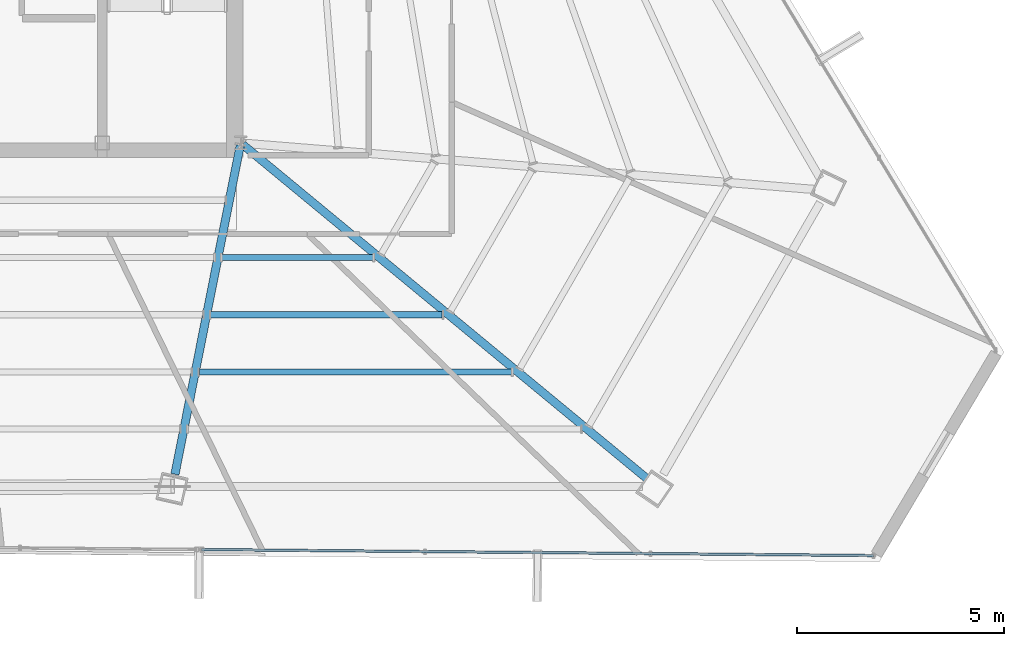
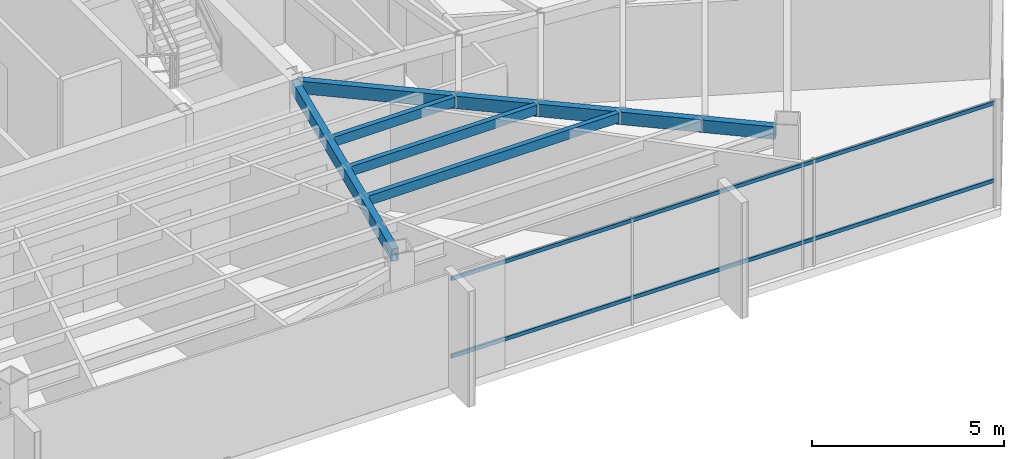
# One storey, part 20 of 45: 5 beams, 2 members, 1 element without a shape of its own.
"""IFC4 building model written with IfcOpenShell, lengths in metres."""

from ifc_helpers import new_model, si_unit, direction, frame, origin, origin_2d, place, context, subcontext, project, spatial, hollow_rectangle, extrude, source, transform, mapped, material, material_profile, profile_set, type_object, type_shapes, element, aggregate, save


model = new_model("IFC4")

# Units and contexts
model_context = context("Model", 3, precision=1e-05, world=origin(), true_north=direction((0.0, 1.0)))
body_context = subcontext(model_context, "Body", "Model", "MODEL_VIEW")
ifc_project = project(units=[si_unit("LENGTHUNIT", "METRE"), si_unit("AREAUNIT", "SQUARE_METRE"), si_unit("VOLUMEUNIT", "CUBIC_METRE"), si_unit("PLANEANGLEUNIT", "RADIAN"), si_unit("MASSUNIT", "GRAM", prefix="KILO")], contexts=[model_context])

# Site, building, storey
site_placement = place(None, origin())
site = spatial("IfcSite", under=ifc_project, at=site_placement, CompositionType="ELEMENT")
building_placement = place(site_placement, origin())
building = spatial("IfcBuilding", under=site, at=building_placement, Name="Caelisora Broadcast Tower", CompositionType="ELEMENT")
storey_placement = place(building_placement, frame((0.0, 0.0, 240.800048828125)))
storey = spatial("IfcBuildingStorey", under=building, at=storey_placement, Name="L63", CompositionType="ELEMENT", Elevation=240.800048828125)

# Beams
ifc_material_1 = material(Name="Steel Grade 350 (AS/NZS 1163 C350L0)", Category="steel")
ifc_material_profile_1 = material_profile(ifc_material_1, hollow_rectangle(XDim=0.199951171875, YDim=0.39990234375, WallThickness=0.012451171875, at=origin_2d()), Name="Steel Grade 350 (AS/NZS 1163 C350L0)")
ifc_profile_set_1 = profile_set([ifc_material_profile_1], Name="Steel Grade 350 (AS/NZS 1163 C350L0)")
beam_type_1 = type_object("IfcBeamType", Name="PG07", PredefinedType="BEAM", material=ifc_profile_set_1)
shared_shape_1 = source(origin(), body_context, "Body", "SweptSolid", [
    extrude(hollow_rectangle(XDim=0.199951171875, YDim=0.39990234375, WallThickness=0.012451171875, at=origin_2d()), origin(), (0.0, 0.0, 1.0), 12.681640625),
])
beam_1_placement = place(storey_placement, frame((45.54638671875, 17.36181640625, 3.199951171875), z_axis=(0.770947366849, -0.636898859748, 0.0), x_axis=(0.636898859748, 0.770947366849, 0.0)))
element("IfcBeam", 1, at=beam_1_placement, inside=storey, type_object=beam_type_1, Name="L63 beam PG07", PredefinedType="BEAM", context=body_context, shape_type="MappedRepresentation", body=[
    mapped(shared_shape_1, transform((0.0, 0.0, 0.0), scale=1.0)),
])
shared_shape_2 = source(origin(), body_context, "Body", "SweptSolid", [
    extrude(hollow_rectangle(XDim=0.199951171875, YDim=0.39990234375, WallThickness=0.012451171875, at=origin_2d()), origin(), (0.0, 0.0, 1.0), 8.10888671875),
])
type_shapes(beam_type_1, [shared_shape_1, shared_shape_2])
beam_2_placement = place(storey_placement, frame((45.48828125, 17.341064453125, 3.199951171875), z_axis=(-0.194766891731, -0.980849559252, 0.0), x_axis=(0.980849559252, -0.194766891731, 0.0)))
element("IfcBeam", 2, at=beam_2_placement, inside=storey, type_object=beam_type_1, Name="L63 beam PG07", PredefinedType="BEAM", context=body_context, shape_type="MappedRepresentation", body=[
    mapped(shared_shape_2, transform((0.0, 0.0, 0.0), scale=1.0)),
])
ifc_material_profile_2 = material_profile(ifc_material_1, hollow_rectangle(XDim=0.14990234375, YDim=0.300048828125, WallThickness=0.010009765625, at=origin_2d()), Name="Steel Grade 350 (AS/NZS 1163 C350L0)")
ifc_profile_set_2 = profile_set([ifc_material_profile_2], Name="Steel Grade 350 (AS/NZS 1163 C350L0)")
beam_type_2 = type_object("IfcBeamType", Name="SB05", PredefinedType="JOIST", material=ifc_profile_set_2)
shared_shape_3 = source(origin(), body_context, "Body", "SweptSolid", [
    extrude(hollow_rectangle(XDim=0.14990234375, YDim=0.300048828125, WallThickness=0.010009765625, at=origin_2d()), origin(), (0.0, 0.0, 1.0), 3.647705078125),
])
beam_3_placement = place(storey_placement, frame((45.04931640625, 14.631591796875, 3.25), z_axis=(1.0, 0.0, 0.0), x_axis=(0.0, 1.0, 0.0)))
element("IfcBeam", 3, at=beam_3_placement, inside=storey, type_object=beam_type_2, Name="L63 beam SB05", PredefinedType="JOIST", context=body_context, shape_type="MappedRepresentation", body=[
    mapped(shared_shape_3, transform((0.0, 0.0, 0.0), scale=1.0)),
])
shared_shape_4 = source(origin(), body_context, "Body", "SweptSolid", [
    extrude(hollow_rectangle(XDim=0.14990234375, YDim=0.300048828125, WallThickness=0.010009765625, at=origin_2d()), origin(), (0.0, 0.0, 1.0), 7.548095703125),
])
beam_4_placement = place(storey_placement, frame((44.499755859375, 11.863525390625, 3.25), z_axis=(1.0, 0.0, 0.0), x_axis=(0.0, 1.0, 0.0)))
element("IfcBeam", 4, at=beam_4_placement, inside=storey, type_object=beam_type_2, Name="L63 beam SB05", PredefinedType="JOIST", context=body_context, shape_type="MappedRepresentation", body=[
    mapped(shared_shape_4, transform((0.0, 0.0, 0.0), scale=1.0)),
])
shared_shape_5 = source(origin(), body_context, "Body", "SweptSolid", [
    extrude(hollow_rectangle(XDim=0.14990234375, YDim=0.300048828125, WallThickness=0.010009765625, at=origin_2d()), origin(), (0.0, 0.0, 1.0), 5.597900390625),
])
type_shapes(beam_type_2, [shared_shape_3, shared_shape_4, shared_shape_5])
beam_5_placement = place(storey_placement, frame((44.7744140625, 13.24755859375, 3.25), z_axis=(1.0, 0.0, 0.0), x_axis=(0.0, 1.0, 0.0)))
element("IfcBeam", 5, at=beam_5_placement, inside=storey, type_object=beam_type_2, Name="L63 beam SB05", PredefinedType="JOIST", context=body_context, shape_type="MappedRepresentation", body=[
    mapped(shared_shape_5, transform((0.0, 0.0, 0.0), scale=1.0)),
])

# Curtain wall, members
ifc_material_2 = material(Name="Unitised Aluminium and Low-E Glass Curtain Wall", Category="glass")
curtain_wall_type = type_object("IfcCurtainWallType", Name="CW-Z5", PredefinedType="NOTDEFINED", material=ifc_material_2)
curtain_wall_placement = place(storey_placement, origin())
curtain_wall = element("IfcCurtainWall", 6, at=curtain_wall_placement, inside=storey, type_object=curtain_wall_type, Name="L63 curtain wall CW-Z5", PredefinedType="NOTDEFINED")
ifc_material_3 = material(Name="Aluminium 6063-T6 Anodised Terracotta Bronze", Category="aluminium")
ifc_material_profile_3 = material_profile(ifc_material_3, hollow_rectangle(XDim=0.06005859375, YDim=0.1201171875, WallThickness=0.0029296875, at=origin_2d()), Name="Aluminium 6063-T6 Anodised Terracotta Bronze")
ifc_profile_set_3 = profile_set([ifc_material_profile_3], Name="Aluminium 6063-T6 Anodised Terracotta Bronze")
member_type = type_object("IfcMemberType", Name="CWT-03", PredefinedType="USERDEFINED", material=ifc_profile_set_3)
shared_shape_6 = source(origin(), body_context, "Body", "SweptSolid", [
    extrude(hollow_rectangle(XDim=0.06005859375, YDim=0.1201171875, WallThickness=0.0029296875, at=origin_2d()), origin(), (0.0, 0.0, 1.0), 16.26123046875),
])
type_shapes(member_type, [shared_shape_6])
member_1_placement = place(storey_placement, frame((60.81201171875, 7.42041015625, 0.849853515625), z_axis=(-0.999959695036, 0.008978212658, 0.0), x_axis=(-0.008978212658, -0.999959695036, 0.0)))
member_1 = element("IfcMember", 7, at=member_1_placement, type_object=member_type, Name="L63-CW-B05 transom #1", ObjectType="TRANSOM", PredefinedType="USERDEFINED", context=body_context, shape_type="MappedRepresentation", body=[
    mapped(shared_shape_6, transform((0.0, 0.0, 0.0), scale=1.0)),
])
member_2_placement = place(storey_placement, frame((60.81201171875, 7.42041015625, 3.320068359375), z_axis=(-0.999959695036, 0.008978212658, 0.0), x_axis=(-0.008978212658, -0.999959695036, 0.0)))
member_2 = element("IfcMember", 8, at=member_2_placement, type_object=member_type, Name="L63-CW-B05 transom #2", ObjectType="TRANSOM", PredefinedType="USERDEFINED", context=body_context, shape_type="MappedRepresentation", body=[
    mapped(shared_shape_6, transform((0.0, 0.0, 0.0), scale=1.0)),
])
aggregate(curtain_wall, [member_1, member_2])

save(model, "model.ifc")
